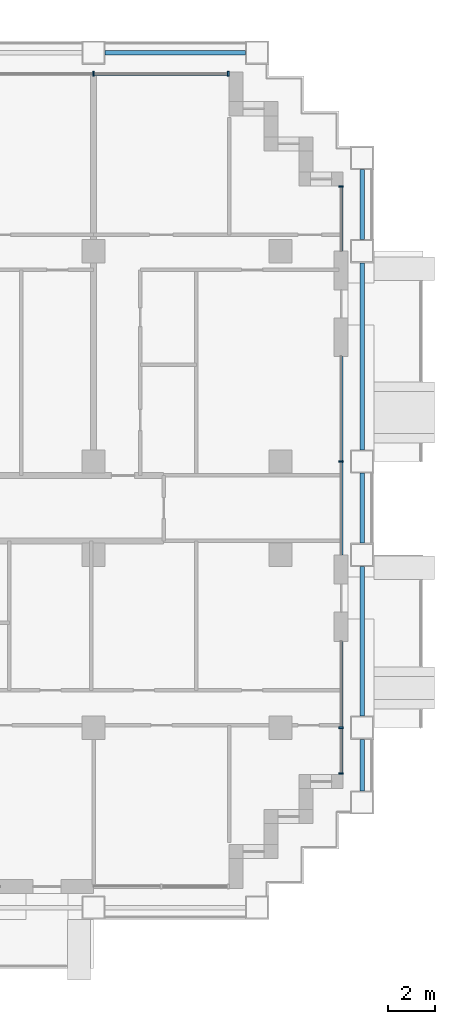
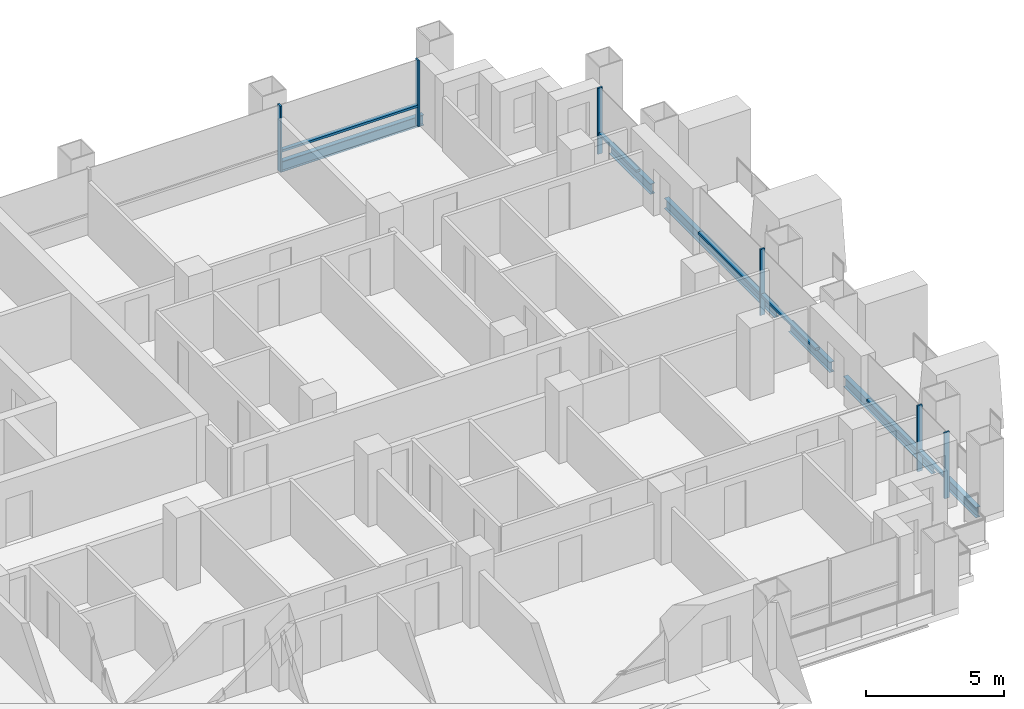
# One storey, part 6 of 18: 12 members, 6 beams, 4 elements without a shape of their own.
"""IFC4 building model written with IfcOpenShell, lengths in metres."""

from ifc_helpers import new_model, si_unit, direction, frame, origin, origin_2d, place, context, subcontext, project, spatial, rectangle, i_section, extrude, material, material_profile, profile_set, type_object, element, aggregate, save


model = new_model("IFC4")

# Units and contexts
model_context = context("Model", 3, precision=1e-05, world=origin(), true_north=direction((0.0, 1.0)))
body_context = subcontext(model_context, "Body", "Model", "MODEL_VIEW")
ifc_project = project(units=[si_unit("LENGTHUNIT", "METRE"), si_unit("AREAUNIT", "SQUARE_METRE"), si_unit("VOLUMEUNIT", "CUBIC_METRE"), si_unit("PLANEANGLEUNIT", "RADIAN"), si_unit("MASSUNIT", "GRAM", prefix="KILO")], contexts=[model_context])

# Site, building, storey
site_placement = place(None, origin())
site = spatial("IfcSite", under=ifc_project, at=site_placement, CompositionType="ELEMENT")
building_placement = place(site_placement, origin())
building = spatial("IfcBuilding", under=site, at=building_placement, Name="Vidyagriha Tower", CompositionType="ELEMENT")
storey_placement = place(building_placement, frame((0.0, 0.0, 48.0)))
storey = spatial("IfcBuildingStorey", under=building, at=storey_placement, Name="L12", CompositionType="ELEMENT", Elevation=48.0)

# Beams
ifc_material_1 = material(Name="Steel ASTM A992 Grade 50", Category="steel")
ifc_material_profile_1 = material_profile(ifc_material_1, i_section(OverallWidth=0.19189453125, OverallDepth=0.46240234375, WebThickness=0.010498046875, FlangeThickness=0.017578125, at=origin_2d()), Name="W18X60")
ifc_profile_set_1 = profile_set([ifc_material_profile_1], Name="Steel ASTM A992 Grade 50")
beam_type = type_object("IfcBeamType", Name="Edge beam W18X60", PredefinedType="SPANDREL", material=ifc_profile_set_1)
beam_1_placement = place(storey_placement, frame((37.5, -12.10009765625, -0.51123046875), z_axis=(0.0, 1.0, 0.0), x_axis=(-1.0, 0.0, 0.0)))
element("IfcBeam", 1, at=beam_1_placement, inside=storey, type_object=beam_type, Name="st-beam-L12-E15", PredefinedType="SPANDREL", context=body_context, shape_type="SweptSolid", body=[
    extrude(i_section(OverallWidth=0.19189453125, OverallDepth=0.46240234375, WebThickness=0.010498046875, FlangeThickness=0.017578125, at=origin_2d()), origin(), (0.0, 0.0, 1.0), 2.2001953125),
])
beam_2_placement = place(storey_placement, frame((37.5, -8.89990234375, -0.51123046875), z_axis=(0.0, 1.0, 0.0), x_axis=(-1.0, 0.0, 0.0)))
element("IfcBeam", 2, at=beam_2_placement, inside=storey, type_object=beam_type, Name="st-beam-L12-E16", PredefinedType="SPANDREL", context=body_context, shape_type="SweptSolid", body=[
    extrude(i_section(OverallWidth=0.19189453125, OverallDepth=0.46240234375, WebThickness=0.010498046875, FlangeThickness=0.017578125, at=origin_2d()), origin(), (0.0, 0.0, 1.0), 6.39990234375),
])
beam_3_placement = place(storey_placement, frame((37.5, -1.5, -0.51123046875), z_axis=(0.0, 1.0, 0.0), x_axis=(-1.0, 0.0, 0.0)))
element("IfcBeam", 3, at=beam_3_placement, inside=storey, type_object=beam_type, Name="st-beam-L12-E17", PredefinedType="SPANDREL", context=body_context, shape_type="SweptSolid", body=[
    extrude(i_section(OverallWidth=0.19189453125, OverallDepth=0.46240234375, WebThickness=0.010498046875, FlangeThickness=0.017578125, at=origin_2d()), origin(), (0.0, 0.0, 1.0), 3.0),
])
beam_4_placement = place(storey_placement, frame((37.5, 2.5, -0.51123046875), z_axis=(0.0, 1.0, 0.0), x_axis=(-1.0, 0.0, 0.0)))
element("IfcBeam", 4, at=beam_4_placement, inside=storey, type_object=beam_type, Name="st-beam-L12-E18", PredefinedType="SPANDREL", context=body_context, shape_type="SweptSolid", body=[
    extrude(i_section(OverallWidth=0.19189453125, OverallDepth=0.46240234375, WebThickness=0.010498046875, FlangeThickness=0.017578125, at=origin_2d()), origin(), (0.0, 0.0, 1.0), 8.0),
])
beam_5_placement = place(storey_placement, frame((37.5, 11.5, -0.51123046875), z_axis=(0.0, 1.0, 0.0), x_axis=(-1.0, 0.0, 0.0)))
element("IfcBeam", 5, at=beam_5_placement, inside=storey, type_object=beam_type, Name="st-beam-L12-E19", PredefinedType="SPANDREL", context=body_context, shape_type="SweptSolid", body=[
    extrude(i_section(OverallWidth=0.19189453125, OverallDepth=0.46240234375, WebThickness=0.010498046875, FlangeThickness=0.017578125, at=origin_2d()), origin(), (0.0, 0.0, 1.0), 3.0),
])
beam_6_placement = place(storey_placement, frame((26.5, 19.5, -0.51123046875), z_axis=(1.0, 0.0, 0.0), x_axis=(0.0, 1.0, 0.0)))
element("IfcBeam", 6, at=beam_6_placement, inside=storey, type_object=beam_type, Name="st-beam-L12-NE23", PredefinedType="SPANDREL", context=body_context, shape_type="SweptSolid", body=[
    extrude(i_section(OverallWidth=0.19189453125, OverallDepth=0.46240234375, WebThickness=0.010498046875, FlangeThickness=0.017578125, at=origin_2d()), origin(), (0.0, 0.0, 1.0), 6.0),
])

# Curtain wall, members
ifc_material_2 = material(Name="Aluminium and glass curtain wall", Category="aluminium")
curtain_wall_type = type_object("IfcCurtainWallType", Name="Dwelling skin unitised curtain wall", PredefinedType="USERDEFINED", material=ifc_material_2)
curtain_wall_1_placement = place(storey_placement, origin())
curtain_wall_1 = element("IfcCurtainWall", 7, at=curtain_wall_1_placement, inside=storey, type_object=curtain_wall_type, Name="CW1 dwelling skin", ObjectType="UNITISED", PredefinedType="USERDEFINED")
ifc_material_3 = material(Name="Aluminium black anodised", Category="aluminium")
ifc_material_profile_2 = material_profile(ifc_material_3, rectangle(XDim=0.199951171875, YDim=0.070068359375, at=origin_2d()), Name="Mullion 70x200 black aluminium")
ifc_profile_set_2 = profile_set([ifc_material_profile_2], Name="Aluminium black anodised")
member_type_1 = type_object("IfcMemberType", Name="Mullion 70x200 black aluminium", PredefinedType="MULLION", material=ifc_profile_set_2)
member_1_placement = place(storey_placement, frame((31.764892578125, 18.60009765625, 0.0), z_axis=(0.0, 0.0, 1.0), x_axis=(0.0, -1.0, 0.0)))
member_1 = element("IfcMember", 8, at=member_1_placement, type_object=member_type_1, Name="CW1 mullion 1", PredefinedType="MULLION", context=body_context, shape_type="SweptSolid", body=[
    extrude(rectangle(XDim=0.199951171875, YDim=0.070068359375, at=origin_2d()), origin(), (0.0, 0.0, 1.0), 2.919921875),
])
member_2_placement = place(storey_placement, frame((26.0, 18.60009765625, 0.0), z_axis=(0.0, 0.0, 1.0), x_axis=(0.0, -1.0, 0.0)))
member_2 = element("IfcMember", 9, at=member_2_placement, type_object=member_type_1, Name="CW1 mullion 2", PredefinedType="MULLION", context=body_context, shape_type="SweptSolid", body=[
    extrude(rectangle(XDim=0.199951171875, YDim=0.070068359375, at=origin_2d()), origin(), (0.0, 0.0, 1.0), 2.919921875),
])

curtain_wall_2_placement = place(storey_placement, origin())
curtain_wall_2 = element("IfcCurtainWall", 10, at=curtain_wall_2_placement, inside=storey, type_object=curtain_wall_type, Name="CW1 dwelling skin", ObjectType="UNITISED", PredefinedType="USERDEFINED")
member_3_placement = place(storey_placement, frame((36.60009765625, -11.364990234375, 0.0), z_axis=(0.0, 0.0, 1.0), x_axis=(-1.0, 0.0, 0.0)))
member_3 = element("IfcMember", 11, at=member_3_placement, type_object=member_type_1, Name="CW1 mullion 1", PredefinedType="MULLION", context=body_context, shape_type="SweptSolid", body=[
    extrude(rectangle(XDim=0.199951171875, YDim=0.070068359375, at=origin_2d()), origin(), (0.0, 0.0, 1.0), 2.919921875),
])
member_4_placement = place(storey_placement, frame((36.60009765625, -9.39990234375, 0.0), z_axis=(0.0, 0.0, 1.0), x_axis=(-1.0, 0.0, 0.0)))
member_4 = element("IfcMember", 12, at=member_4_placement, type_object=member_type_1, Name="CW1 mullion 2", PredefinedType="MULLION", context=body_context, shape_type="SweptSolid", body=[
    extrude(rectangle(XDim=0.199951171875, YDim=0.070068359375, at=origin_2d()), origin(), (0.0, 0.0, 1.0), 2.919921875),
])

# Curtain wall, member
curtain_wall_3_placement = place(storey_placement, origin())
curtain_wall_3 = element("IfcCurtainWall", 13, at=curtain_wall_3_placement, inside=storey, type_object=curtain_wall_type, Name="CW1 dwelling skin", ObjectType="UNITISED", PredefinedType="USERDEFINED")
member_5_placement = place(storey_placement, frame((36.60009765625, 2.0, 0.0), z_axis=(0.0, 0.0, 1.0), x_axis=(-1.0, 0.0, 0.0)))
member_5 = element("IfcMember", 14, at=member_5_placement, type_object=member_type_1, Name="CW1 mullion 2", PredefinedType="MULLION", context=body_context, shape_type="SweptSolid", body=[
    extrude(rectangle(XDim=0.199951171875, YDim=0.070068359375, at=origin_2d()), origin(), (0.0, 0.0, 1.0), 2.919921875),
])

curtain_wall_4_placement = place(storey_placement, origin())
curtain_wall_4 = element("IfcCurtainWall", 15, at=curtain_wall_4_placement, inside=storey, type_object=curtain_wall_type, Name="CW1 dwelling skin", ObjectType="UNITISED", PredefinedType="USERDEFINED")
member_6_placement = place(storey_placement, frame((36.60009765625, 13.764892578125, 0.0), z_axis=(0.0, 0.0, 1.0), x_axis=(-1.0, 0.0, 0.0)))
member_6 = element("IfcMember", 16, at=member_6_placement, type_object=member_type_1, Name="CW1 mullion 2", PredefinedType="MULLION", context=body_context, shape_type="SweptSolid", body=[
    extrude(rectangle(XDim=0.199951171875, YDim=0.070068359375, at=origin_2d()), origin(), (0.0, 0.0, 1.0), 2.919921875),
])

# Member
ifc_material_4 = material(Name="Aluminium black anodised", Category="aluminium")
ifc_material_profile_3 = material_profile(ifc_material_4, rectangle(XDim=0.159912109375, YDim=0.10009765625, at=origin_2d()), Name="Transom 100x160 black aluminium")
ifc_profile_set_3 = profile_set([ifc_material_profile_3], Name="Aluminium black anodised")
member_type_2 = type_object("IfcMemberType", Name="Transom 100x160 black aluminium", PredefinedType="USERDEFINED", material=ifc_profile_set_3)
member_7_placement = place(storey_placement, frame((31.72998046875, 18.60009765625, 0.89990234375), z_axis=(-1.0, 0.0, 0.0), x_axis=(0.0, -1.0, 0.0)))
member_7 = element("IfcMember", 17, at=member_7_placement, type_object=member_type_2, Name="CW1 transom 1.1", ObjectType="TRANSOM", PredefinedType="USERDEFINED", context=body_context, shape_type="SweptSolid", body=[
    extrude(rectangle(XDim=0.159912109375, YDim=0.10009765625, at=origin_2d()), origin(), (0.0, 0.0, 1.0), 5.695068359375),
])

aggregate(curtain_wall_1, [member_1, member_2, member_7])

member_8_placement = place(storey_placement, frame((36.60009765625, -11.330078125, 0.89990234375), z_axis=(0.0, 1.0, 0.0), x_axis=(-1.0, 0.0, 0.0)))
member_8 = element("IfcMember", 18, at=member_8_placement, type_object=member_type_2, Name="CW1 transom 1.1", ObjectType="TRANSOM", PredefinedType="USERDEFINED", context=body_context, shape_type="SweptSolid", body=[
    extrude(rectangle(XDim=0.159912109375, YDim=0.10009765625, at=origin_2d()), origin(), (0.0, 0.0, 1.0), 1.89501953125),
])

member_9_placement = place(storey_placement, frame((36.60009765625, -9.364990234375, 0.89990234375), z_axis=(0.0, 1.0, 0.0), x_axis=(-1.0, 0.0, 0.0)))
member_9 = element("IfcMember", 19, at=member_9_placement, type_object=member_type_2, Name="CW1 transom 2.1", ObjectType="TRANSOM", PredefinedType="USERDEFINED", context=body_context, shape_type="SweptSolid", body=[
    extrude(rectangle(XDim=0.159912109375, YDim=0.10009765625, at=origin_2d()), origin(), (0.0, 0.0, 1.0), 3.6650390625),
])

aggregate(curtain_wall_2, [member_3, member_4, member_8, member_9])

member_10_placement = place(storey_placement, frame((36.60009765625, -2.0, 0.89990234375), z_axis=(0.0, 1.0, 0.0), x_axis=(-1.0, 0.0, 0.0)))
member_10 = element("IfcMember", 20, at=member_10_placement, type_object=member_type_2, Name="CW1 transom 1.1", ObjectType="TRANSOM", PredefinedType="USERDEFINED", context=body_context, shape_type="SweptSolid", body=[
    extrude(rectangle(XDim=0.159912109375, YDim=0.10009765625, at=origin_2d()), origin(), (0.0, 0.0, 1.0), 3.965087890625),
])

member_11_placement = place(storey_placement, frame((36.60009765625, 2.034912109375, 0.89990234375), z_axis=(0.0, 1.0, 0.0), x_axis=(-1.0, 0.0, 0.0)))
member_11 = element("IfcMember", 21, at=member_11_placement, type_object=member_type_2, Name="CW1 transom 2.1", ObjectType="TRANSOM", PredefinedType="USERDEFINED", context=body_context, shape_type="SweptSolid", body=[
    extrude(rectangle(XDim=0.159912109375, YDim=0.10009765625, at=origin_2d()), origin(), (0.0, 0.0, 1.0), 4.465087890625),
])

aggregate(curtain_wall_3, [member_5, member_10, member_11])

member_12_placement = place(storey_placement, frame((36.60009765625, 11.0, 0.89990234375), z_axis=(0.0, 1.0, 0.0), x_axis=(-1.0, 0.0, 0.0)))
member_12 = element("IfcMember", 22, at=member_12_placement, type_object=member_type_2, Name="CW1 transom 1.1", ObjectType="TRANSOM", PredefinedType="USERDEFINED", context=body_context, shape_type="SweptSolid", body=[
    extrude(rectangle(XDim=0.159912109375, YDim=0.10009765625, at=origin_2d()), origin(), (0.0, 0.0, 1.0), 2.72998046875),
])

aggregate(curtain_wall_4, [member_6, member_12])

save(model, "model.ifc")
